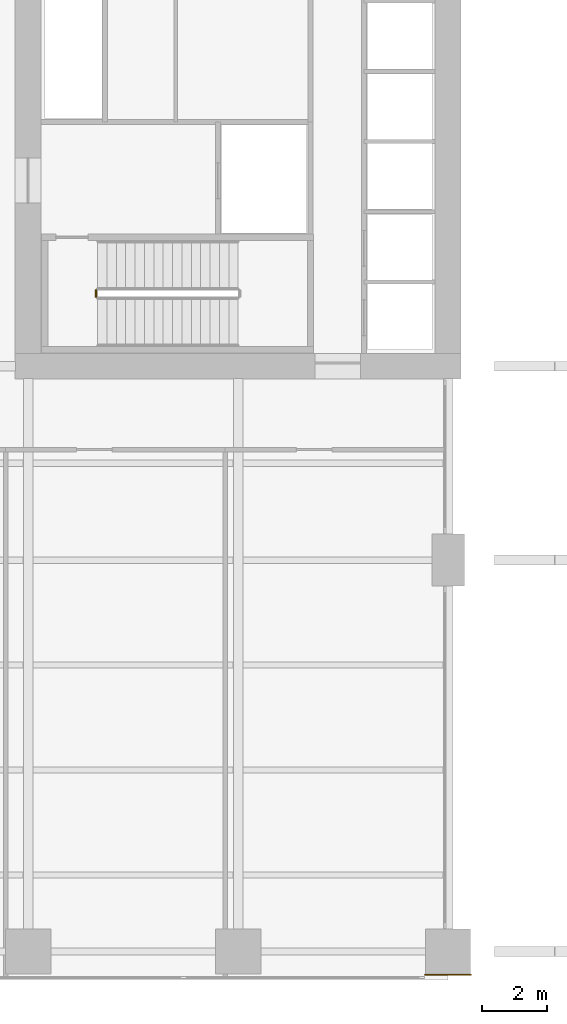
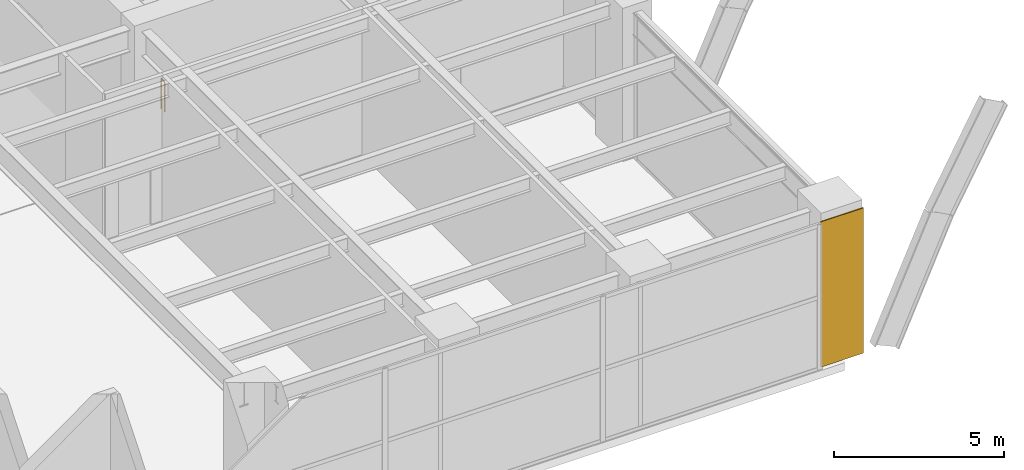
# One storey, part 13 of 17: 1 covering, 1 railing.
"""IFC4 building model written with IfcOpenShell, lengths in metres."""

from ifc_helpers import new_model, si_unit, direction, frame, origin, origin_2d, place, context, subcontext, project, spatial, rectangle, circle, extrude, material, layer, layer_set, type_object, element, save


model = new_model("IFC4")

# Units and contexts
model_context = context("Model", 3, precision=1e-05, world=origin(), true_north=direction((0.0, 1.0)))
body_context = subcontext(model_context, "Body", "Model", "MODEL_VIEW")
ifc_project = project(units=[si_unit("LENGTHUNIT", "METRE"), si_unit("AREAUNIT", "SQUARE_METRE"), si_unit("VOLUMEUNIT", "CUBIC_METRE"), si_unit("PLANEANGLEUNIT", "RADIAN"), si_unit("MASSUNIT", "GRAM", prefix="KILO")], contexts=[model_context])

# Site, building, storey
site_placement = place(None, origin())
site = spatial("IfcSite", under=ifc_project, at=site_placement, CompositionType="ELEMENT")
building_placement = place(site_placement, origin())
building = spatial("IfcBuilding", under=site, at=building_placement, Name="Putna Gate Headquarters", CompositionType="ELEMENT")
storey_placement = place(building_placement, frame((0.0, 0.0, 6.0)))
storey = spatial("IfcBuildingStorey", under=building, at=storey_placement, Name="L01", CompositionType="ELEMENT", Elevation=6.0)

# Covering
ifc_material_1 = material(Name="Anodised architectural bronze rainscreen cladding", Category="aluminium")
ifc_layer = layer(ifc_material_1, 0.0400390625)
ifc_layer_set = layer_set([ifc_layer], Name="Anodised architectural bronze rainscreen cladding")
covering_type = type_object("IfcCoveringType", Name="COV-BRONZE-CLADDING", PredefinedType="CLADDING", material=ifc_layer_set)
covering_placement = place(storey_placement, frame((26.0, 0.1650390625, 0.0), z_axis=(0.0, 0.0, 1.0), x_axis=(1.0, 0.0, 0.0)))
element("IfcCovering", 1, at=covering_placement, inside=storey, type_object=covering_type, Name="L01 Giant Arch Pier Bronze Cladding WS", PredefinedType="CLADDING", context=body_context, shape_type="SweptSolid", body=[
    extrude(rectangle(XDim=1.43994140625, YDim=0.0400390625, at=origin_2d()), origin(), (0.0, 0.0, 1.0), 5.219970703125),
])

# Railing
ifc_material_2 = material(Name="Powder-coated steel stair guardrail", Category="steel")
railing_type = type_object("IfcRailingType", Name="RAIL-STAIR-GUARD-1100", PredefinedType="GUARDRAIL", material=ifc_material_2)
railing_placement = place(storey_placement, frame((15.10009765625, 21.14990234375, 0.0)))
element("IfcRailing", 2, at=railing_placement, inside=storey, type_object=railing_type, Name="L01 ST1 stair guard 4", PredefinedType="GUARDRAIL", context=body_context, shape_type="SweptSolid", body=[
    extrude(circle(Radius=0.02392578125, at=origin_2d()), frame((0.0, 0.0, 1.076171875), z_axis=(0.0, 1.0, 0.0), x_axis=(-1.0, 0.0, 0.0)), (0.0, 0.0, 1.0), 0.2001953125),
    extrude(circle(Radius=0.02099609375, at=origin_2d()), origin(), (0.0, 0.0, 1.0), 1.052001953125),
    extrude(circle(Radius=0.02099609375, at=origin_2d()), frame((0.0, 0.2001953125, 0.0)), (0.0, 0.0, 1.0), 1.052001953125),
])

save(model, "model.ifc")
